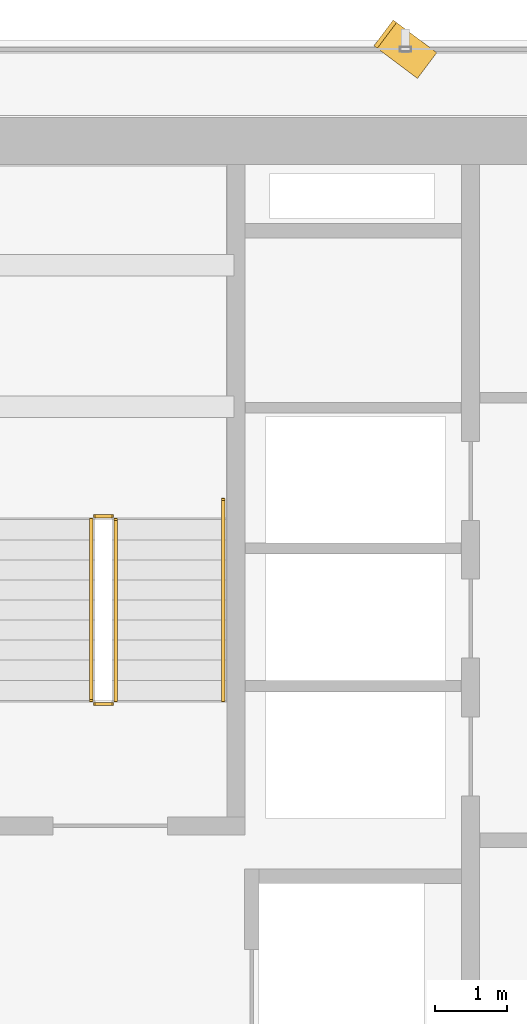
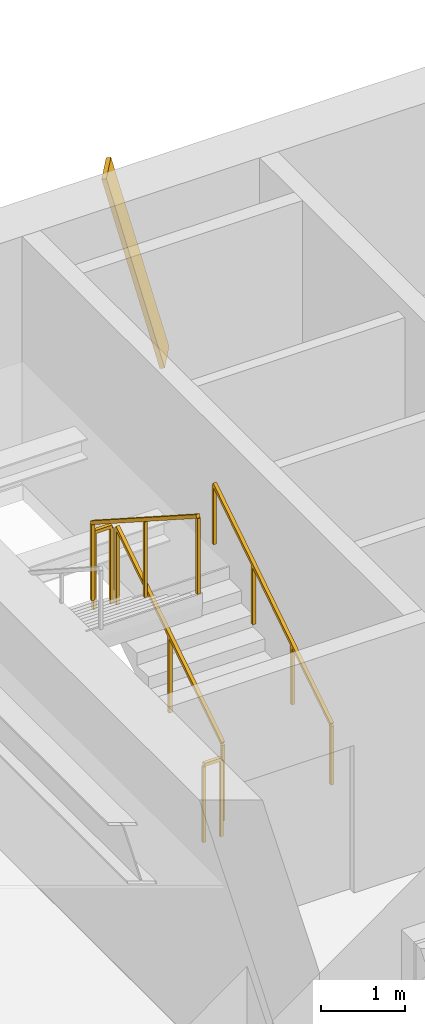
# One storey, part 25 of 28: 5 railings, 1 shading device.
"""IFC4 building model written with IfcOpenShell, lengths in metres."""

from ifc_helpers import new_model, si_unit, direction, frame, origin, origin_2d, place, context, subcontext, project, spatial, rectangle, extrude, source, transform, mapped, material, material_profile, profile_set, type_object, element, save


model = new_model("IFC4")

# Units and contexts
model_context = context("Model", 3, precision=1e-05, world=origin(), true_north=direction((0.0, 1.0)))
body_context = subcontext(model_context, "Body", "Model", "MODEL_VIEW")
ifc_project = project(units=[si_unit("LENGTHUNIT", "METRE"), si_unit("AREAUNIT", "SQUARE_METRE"), si_unit("VOLUMEUNIT", "CUBIC_METRE"), si_unit("PLANEANGLEUNIT", "RADIAN"), si_unit("MASSUNIT", "GRAM", prefix="KILO")], contexts=[model_context])

# Site, building, storey
site_placement = place(None, origin())
site = spatial("IfcSite", under=ifc_project, at=site_placement, CompositionType="ELEMENT")
building_placement = place(site_placement, origin())
building = spatial("IfcBuilding", under=site, at=building_placement, Name="Sumidabori Civic Tower", CompositionType="ELEMENT")
storey_placement = place(building_placement, frame((0.0, 0.0, 146.0)))
storey = spatial("IfcBuildingStorey", under=building, at=storey_placement, Name="L37", CompositionType="ELEMENT", Elevation=146.0)

# Railings
ifc_material_1 = material(Name="Stainless Steel Hairline Finish", Category="steel")
railing_type_1 = type_object("IfcRailingType", Name="RL-HANDRAIL", PredefinedType="HANDRAIL", material=ifc_material_1)
railing_1_placement = place(storey_placement, frame((-11.949951171875, 16.0, 0.179931640625)))
element("IfcRailing", 1, at=railing_1_placement, inside=storey, type_object=railing_type_1, Name="L37 ST-1 stair handrail 1", PredefinedType="HANDRAIL", context=body_context, shape_type="SweptSolid", body=[
    extrude(rectangle(XDim=0.048095703125, YDim=0.048095703125, at=origin_2d()), frame((0.0, 0.0, 0.8759765625), z_axis=(0.0, 0.84064222762, 0.54159084662), x_axis=(-1.0, 0.0, 0.0)), (0.0, 0.0, 1.0), 3.330810546875),
    extrude(rectangle(XDim=0.0419921875, YDim=0.0419921875, at=origin_2d()), origin(), (0.0, 0.0, 1.0), 0.851806640625),
    extrude(rectangle(XDim=0.0419921875, YDim=0.0419921875, at=origin_2d()), frame((0.0, 0.933349609375, 0.601318359375)), (0.0, 0.0, 1.0), 0.851806640625),
    extrude(rectangle(XDim=0.0419921875, YDim=0.0419921875, at=origin_2d()), frame((0.0, 1.86669921875, 1.20263671875)), (0.0, 0.0, 1.0), 0.851806640625),
    extrude(rectangle(XDim=0.0419921875, YDim=0.0419921875, at=origin_2d()), frame((0.0, 2.800048828125, 1.803955078125)), (0.0, 0.0, 1.0), 0.851806640625),
])
ifc_material_2 = material(Name="Steel SN490", Category="steel")
railing_type_2 = type_object("IfcRailingType", Name="RL-STAIR-GUARD", PredefinedType="GUARDRAIL", material=ifc_material_2)
railing_2_placement = place(storey_placement, frame((-13.449951171875, 16.0, 0.179931640625)))
element("IfcRailing", 2, at=railing_2_placement, inside=storey, type_object=railing_type_2, Name="L37 ST-1 stair guard 1", PredefinedType="GUARDRAIL", context=body_context, shape_type="SweptSolid", body=[
    extrude(rectangle(XDim=0.048095703125, YDim=0.048095703125, at=origin_2d()), frame((0.0, 0.0, 1.1259765625), z_axis=(0.0, 0.841162588446, 0.540782303519), x_axis=(-1.0, 0.0, 0.0)), (0.0, 0.0, 1.0), 2.995849609375),
    extrude(rectangle(XDim=0.0419921875, YDim=0.0419921875, at=origin_2d()), origin(), (0.0, 0.0, 1.0), 1.101806640625),
    extrude(rectangle(XDim=0.0419921875, YDim=0.0419921875, at=origin_2d()), frame((0.0, 1.260009765625, 0.81005859375)), (0.0, 0.0, 1.0), 1.101806640625),
    extrude(rectangle(XDim=0.0419921875, YDim=0.0419921875, at=origin_2d()), frame((0.0, 2.52001953125, 1.6201171875)), (0.0, 0.0, 1.0), 1.101806640625),
])
railing_3_placement = place(storey_placement, frame((-13.5, 18.570068359375, 1.800048828125)))
element("IfcRailing", 3, at=railing_3_placement, inside=storey, type_object=railing_type_2, Name="L37 ST-1 stair guard 2", PredefinedType="GUARDRAIL", context=body_context, shape_type="SweptSolid", body=[
    extrude(rectangle(XDim=0.048095703125, YDim=0.048095703125, at=origin_2d()), frame((0.0, 0.0, 1.1259765625), z_axis=(-1.0, 0.0, 0.0), x_axis=(0.0, -1.0, 0.0)), (0.0, 0.0, 1.0), 0.239990234375),
    extrude(rectangle(XDim=0.0419921875, YDim=0.0419921875, at=origin_2d()), origin(), (0.0, 0.0, 1.0), 1.101806640625),
    extrude(rectangle(XDim=0.0419921875, YDim=0.0419921875, at=origin_2d()), frame((-0.239990234375, 0.0, 0.0)), (0.0, 0.0, 1.0), 1.101806640625),
])
railing_4_placement = place(storey_placement, frame((-13.7900390625, 18.52001953125, 1.97998046875)))
element("IfcRailing", 4, at=railing_4_placement, inside=storey, type_object=railing_type_2, Name="L37 ST-1 stair guard 3", PredefinedType="GUARDRAIL", context=body_context, shape_type="SweptSolid", body=[
    extrude(rectangle(XDim=0.048095703125, YDim=0.048095703125, at=origin_2d()), frame((0.0, 0.0, 1.1259765625), z_axis=(0.0, -0.841162588446, 0.540782303519), x_axis=(1.0, 0.0, 0.0)), (0.0, 0.0, 1.0), 2.995849609375),
    extrude(rectangle(XDim=0.0419921875, YDim=0.0419921875, at=origin_2d()), origin(), (0.0, 0.0, 1.0), 1.101806640625),
    extrude(rectangle(XDim=0.0419921875, YDim=0.0419921875, at=origin_2d()), frame((0.0, -1.260009765625, 0.81005859375)), (0.0, 0.0, 1.0), 1.101806640625),
    extrude(rectangle(XDim=0.0419921875, YDim=0.0419921875, at=origin_2d()), frame((0.0, -2.52001953125, 1.6201171875)), (0.0, 0.0, 1.0), 1.101806640625),
])
railing_5_placement = place(storey_placement, frame((-13.5, 15.949951171875, 0.0)))
element("IfcRailing", 5, at=railing_5_placement, inside=storey, type_object=railing_type_2, Name="L37 ST-1 stair guard 4", PredefinedType="GUARDRAIL", context=body_context, shape_type="SweptSolid", body=[
    extrude(rectangle(XDim=0.048095703125, YDim=0.048095703125, at=origin_2d()), frame((0.0, 0.0, 1.1259765625), z_axis=(-1.0, 0.0, 0.0), x_axis=(0.0, -1.0, 0.0)), (0.0, 0.0, 1.0), 0.239990234375),
    extrude(rectangle(XDim=0.0419921875, YDim=0.0419921875, at=origin_2d()), origin(), (0.0, 0.0, 1.0), 1.101806640625),
    extrude(rectangle(XDim=0.0419921875, YDim=0.0419921875, at=origin_2d()), frame((-0.239990234375, 0.0, 0.0)), (0.0, 0.0, 1.0), 1.101806640625),
])

# Shading device
ifc_material_3 = material(Name="Anodised Bronze Aluminium AW-6063-T6", Category="aluminium")
ifc_material_profile = material_profile(ifc_material_3, rectangle(XDim=0.06005859375, YDim=0.449951171875, at=origin_2d()), Name="BRONZE FIN 450x60")
ifc_profile_set = profile_set([ifc_material_profile], Name="Anodised Bronze Aluminium AW-6063-T6")
shading_device_type = type_object("IfcShadingDeviceType", Name="SH-FIN-450", PredefinedType="USERDEFINED", material=ifc_profile_set)
shared_shape = source(origin(), body_context, "Body", "SweptSolid", [
    extrude(rectangle(XDim=0.06005859375, YDim=0.449951171875, at=origin_2d()), origin(), (0.0, 0.0, 1.0), 2.789306640625),
])
shading_device_placement = place(storey_placement, frame((-9.1298828125, 24.8701171875, 0.02001953125), z_axis=(-0.200794136335, 0.150551837182, 0.967995794998), x_axis=(0.774477654896, -0.580689436103, 0.250966413819)))
element("IfcShadingDevice", 6, at=shading_device_placement, inside=storey, type_object=shading_device_type, Name="Bronze Anodised Diagonal Fin L37-03", ObjectType="FIN", PredefinedType="USERDEFINED", context=body_context, shape_type="MappedRepresentation", body=[
    mapped(shared_shape, transform((0.0, 0.0, 0.0), x_axis=(1.0, 0.0, 0.0), y_axis=(0.0, 1.0, 0.0), z_axis=(0.0, 0.0, 1.0), scale=1.0)),
])

save(model, "model.ifc")
